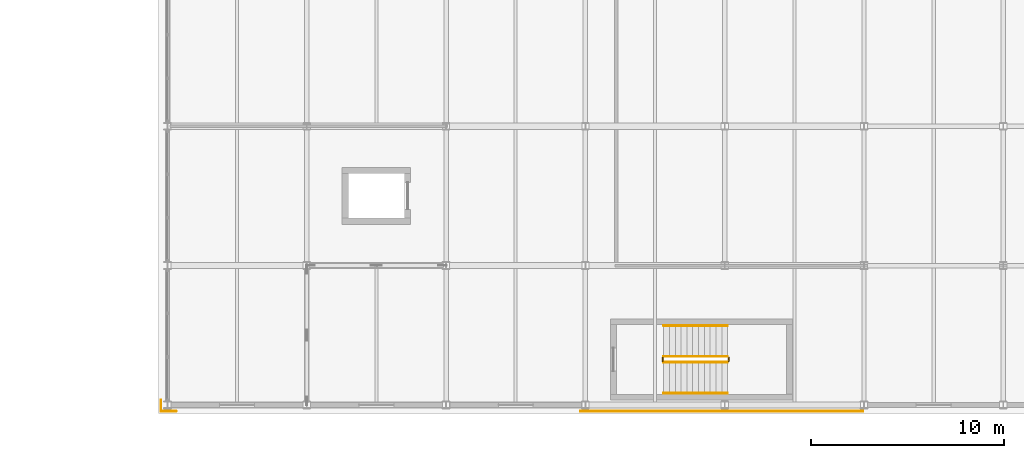
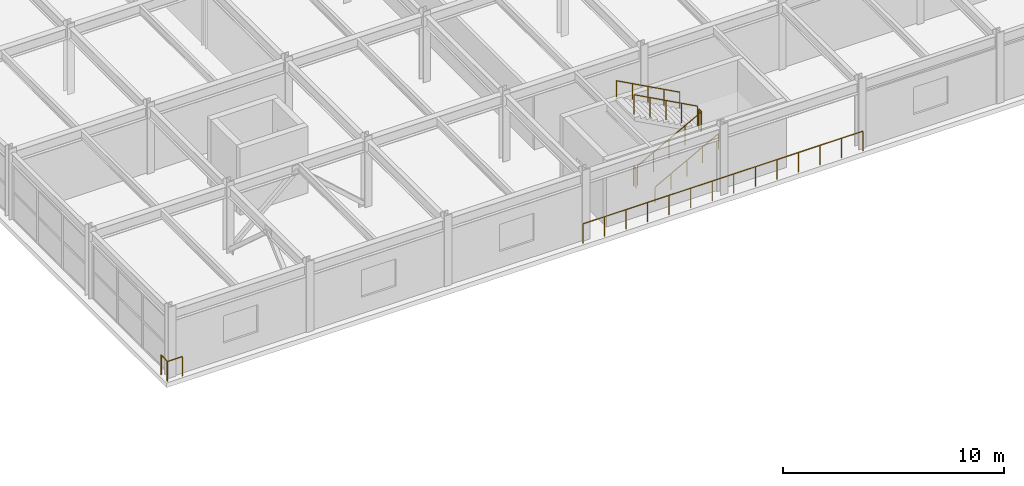
# One storey, part 85 of 93: 9 railings.
"""IFC4 building model written with IfcOpenShell, lengths in metres."""

from ifc_helpers import new_model, si_unit, direction, frame, origin, origin_2d, place, context, subcontext, project, spatial, circle, extrude, material, layer, layer_set, type_object, element, save


model = new_model("IFC4")

# Units and contexts
model_context = context("Model", 3, precision=1e-05, world=origin(), true_north=direction((0.0, 1.0)))
body_context = subcontext(model_context, "Body", "Model", "MODEL_VIEW")
ifc_project = project(units=[si_unit("LENGTHUNIT", "METRE"), si_unit("AREAUNIT", "SQUARE_METRE"), si_unit("VOLUMEUNIT", "CUBIC_METRE"), si_unit("PLANEANGLEUNIT", "RADIAN"), si_unit("MASSUNIT", "GRAM", prefix="KILO")], contexts=[model_context])

# Site, building, storey
site_placement = place(None, origin())
site = spatial("IfcSite", under=ifc_project, at=site_placement, CompositionType="ELEMENT")
building_placement = place(site_placement, origin())
building = spatial("IfcBuilding", under=site, at=building_placement, Name="Vaelcorin Mobility Hub", CompositionType="ELEMENT")
storey_placement = place(building_placement, frame((0.0, 0.0, 5.39990234375)))
storey = spatial("IfcBuildingStorey", under=building, at=storey_placement, Name="L01", CompositionType="ELEMENT", Elevation=5.39990234375)

# Railings
ifc_material_1 = material(Name="Galvanised structural steel ASTM A36", Category="steel")
ifc_layer_1 = layer(ifc_material_1, 0.070068359375)
ifc_layer_set_1 = layer_set([ifc_layer_1], Name="Galvanised structural steel ASTM A36")
railing_type_1 = type_object("IfcRailingType", Name="RL-GUARD-1100", PredefinedType="BALUSTRADE", material=ifc_layer_set_1)
railing_1_placement = place(storey_placement, frame((174.949951171875, 5.669921875, 0.0)))
element("IfcRailing", 1, at=railing_1_placement, inside=storey, type_object=railing_type_1, Name="L01 Perimeter Guard GR-V5-L01-S-GAP-01", PredefinedType="BALUSTRADE", context=body_context, shape_type="SweptSolid", body=[
    extrude(circle(Radius=0.02392578125, at=origin_2d()), frame((0.0, 0.0, 1.076171875), z_axis=(1.0, 0.0, 0.0), x_axis=(0.0, 1.0, 0.0)), (0.0, 0.0, 1.0), 14.60009765625),
    extrude(circle(Radius=0.02099609375, at=origin_2d()), origin(), (0.0, 0.0, 1.0), 1.052001953125),
    extrude(circle(Radius=0.02099609375, at=origin_2d()), frame((1.123046875, 0.0, 0.0)), (0.0, 0.0, 1.0), 1.052001953125),
    extrude(circle(Radius=0.02099609375, at=origin_2d()), frame((2.24609375, 0.0, 0.0)), (0.0, 0.0, 1.0), 1.052001953125),
    extrude(circle(Radius=0.02099609375, at=origin_2d()), frame((3.369140625, 0.0, 0.0)), (0.0, 0.0, 1.0), 1.052001953125),
    extrude(circle(Radius=0.02099609375, at=origin_2d()), frame((4.492431640625, 0.0, 0.0)), (0.0, 0.0, 1.0), 1.052001953125),
    extrude(circle(Radius=0.02099609375, at=origin_2d()), frame((5.615478515625, 0.0, 0.0)), (0.0, 0.0, 1.0), 1.052001953125),
    extrude(circle(Radius=0.02099609375, at=origin_2d()), frame((6.738525390625, 0.0, 0.0)), (0.0, 0.0, 1.0), 1.052001953125),
    extrude(circle(Radius=0.02099609375, at=origin_2d()), frame((7.861572265625, 0.0, 0.0)), (0.0, 0.0, 1.0), 1.052001953125),
    extrude(circle(Radius=0.02099609375, at=origin_2d()), frame((8.984619140625, 0.0, 0.0)), (0.0, 0.0, 1.0), 1.052001953125),
    extrude(circle(Radius=0.02099609375, at=origin_2d()), frame((10.107666015625, 0.0, 0.0)), (0.0, 0.0, 1.0), 1.052001953125),
    extrude(circle(Radius=0.02099609375, at=origin_2d()), frame((11.23095703125, 0.0, 0.0)), (0.0, 0.0, 1.0), 1.052001953125),
    extrude(circle(Radius=0.02099609375, at=origin_2d()), frame((12.35400390625, 0.0, 0.0)), (0.0, 0.0, 1.0), 1.052001953125),
    extrude(circle(Radius=0.02099609375, at=origin_2d()), frame((13.47705078125, 0.0, 0.0)), (0.0, 0.0, 1.0), 1.052001953125),
    extrude(circle(Radius=0.02099609375, at=origin_2d()), frame((14.60009765625, 0.0, 0.0)), (0.0, 0.0, 1.0), 1.052001953125),
])
railing_2_placement = place(storey_placement, frame((153.27001953125, 6.25, 0.0)))
element("IfcRailing", 2, at=railing_2_placement, inside=storey, type_object=railing_type_1, Name="L01 Perimeter Guard GR-V5-L01-SW-CNR-01", PredefinedType="BALUSTRADE", context=body_context, shape_type="SweptSolid", body=[
    extrude(circle(Radius=0.02392578125, at=origin_2d()), frame((0.0, 0.0, 1.076171875), z_axis=(0.0, -1.0, 0.0), x_axis=(1.0, 0.0, 0.0)), (0.0, 0.0, 1.0), 0.580078125),
    extrude(circle(Radius=0.02099609375, at=origin_2d()), origin(), (0.0, 0.0, 1.0), 1.052001953125),
    extrude(circle(Radius=0.02099609375, at=origin_2d()), frame((0.0, -0.580078125, 0.0)), (0.0, 0.0, 1.0), 1.052001953125),
])
railing_3_placement = place(storey_placement, frame((153.27001953125, 5.669921875, 0.0)))
element("IfcRailing", 3, at=railing_3_placement, inside=storey, type_object=railing_type_1, Name="L01 Perimeter Guard GR-V5-L01-SW-CNR-02", PredefinedType="BALUSTRADE", context=body_context, shape_type="SweptSolid", body=[
    extrude(circle(Radius=0.02392578125, at=origin_2d()), frame((0.0, 0.0, 1.076171875), z_axis=(1.0, 0.0, 0.0), x_axis=(0.0, 1.0, 0.0)), (0.0, 0.0, 1.0), 0.780029296875),
    extrude(circle(Radius=0.02099609375, at=origin_2d()), origin(), (0.0, 0.0, 1.0), 1.052001953125),
    extrude(circle(Radius=0.02099609375, at=origin_2d()), frame((0.780029296875, 0.0, 0.0)), (0.0, 0.0, 1.0), 1.052001953125),
])
ifc_material_2 = material(Name="Brushed stainless steel 316L", Category="steel")
ifc_layer_2 = layer(ifc_material_2, 0.048095703125)
ifc_layer_set_2 = layer_set([ifc_layer_2], Name="Brushed stainless steel 316L")
railing_type_2 = type_object("IfcRailingType", Name="RL-STAIR-GRD", PredefinedType="GUARDRAIL", material=ifc_layer_set_2)
railing_4_placement = place(storey_placement, frame((179.25, 8.199951171875, 0.16259765625)))
element("IfcRailing", 4, at=railing_4_placement, inside=storey, type_object=railing_type_2, Name="L01 ST5 stair guard 1", PredefinedType="GUARDRAIL", context=body_context, shape_type="SweptSolid", body=[
    extrude(circle(Radius=0.02392578125, at=origin_2d()), frame((0.0, 0.0, 1.076171875), z_axis=(0.879284020681, 0.0, 0.476297817521), x_axis=(0.0, 1.0, 0.0)), (0.0, 0.0, 1.0), 3.753173828125),
    extrude(circle(Radius=0.02099609375, at=origin_2d()), origin(), (0.0, 0.0, 1.0), 1.052001953125),
    extrude(circle(Radius=0.02099609375, at=origin_2d()), frame((0.824951171875, 0.0, 0.44677734375)), (0.0, 0.0, 1.0), 1.052001953125),
    extrude(circle(Radius=0.02099609375, at=origin_2d()), frame((1.64990234375, 0.0, 0.893798828125)), (0.0, 0.0, 1.0), 1.052001953125),
    extrude(circle(Radius=0.02099609375, at=origin_2d()), frame((2.47509765625, 0.0, 1.3408203125)), (0.0, 0.0, 1.0), 1.052001953125),
    extrude(circle(Radius=0.02099609375, at=origin_2d()), frame((3.300048828125, 0.0, 1.78759765625)), (0.0, 0.0, 1.0), 1.052001953125),
])
railing_5_placement = place(storey_placement, frame((182.60009765625, 8.25, 1.9501953125)))
element("IfcRailing", 5, at=railing_5_placement, inside=storey, type_object=railing_type_2, Name="L01 ST5 stair guard 2", PredefinedType="GUARDRAIL", context=body_context, shape_type="SweptSolid", body=[
    extrude(circle(Radius=0.02392578125, at=origin_2d()), frame((0.0, 0.0, 1.076171875), z_axis=(0.0, 1.0, 0.0), x_axis=(-1.0, 0.0, 0.0)), (0.0, 0.0, 1.0), 0.199951171875),
    extrude(circle(Radius=0.02099609375, at=origin_2d()), origin(), (0.0, 0.0, 1.0), 1.052001953125),
    extrude(circle(Radius=0.02099609375, at=origin_2d()), frame((0.0, 0.199951171875, 0.0)), (0.0, 0.0, 1.0), 1.052001953125),
])
railing_6_placement = place(storey_placement, frame((182.550048828125, 8.5, 2.112548828125)))
element("IfcRailing", 6, at=railing_6_placement, inside=storey, type_object=railing_type_2, Name="L01 ST5 stair guard 3", PredefinedType="GUARDRAIL", context=body_context, shape_type="SweptSolid", body=[
    extrude(circle(Radius=0.02392578125, at=origin_2d()), frame((0.0, 0.0, 1.076171875), z_axis=(-0.879284020681, 0.0, 0.476297817521), x_axis=(0.0, -1.0, 0.0)), (0.0, 0.0, 1.0), 3.753173828125),
    extrude(circle(Radius=0.02099609375, at=origin_2d()), origin(), (0.0, 0.0, 1.0), 1.052001953125),
    extrude(circle(Radius=0.02099609375, at=origin_2d()), frame((-0.824951171875, 0.0, 0.44677734375)), (0.0, 0.0, 1.0), 1.052001953125),
    extrude(circle(Radius=0.02099609375, at=origin_2d()), frame((-1.64990234375, 0.0, 0.893798828125)), (0.0, 0.0, 1.0), 1.052001953125),
    extrude(circle(Radius=0.02099609375, at=origin_2d()), frame((-2.47509765625, 0.0, 1.3408203125)), (0.0, 0.0, 1.0), 1.052001953125),
    extrude(circle(Radius=0.02099609375, at=origin_2d()), frame((-3.300048828125, 0.0, 1.78759765625)), (0.0, 0.0, 1.0), 1.052001953125),
])
railing_7_placement = place(storey_placement, frame((179.199951171875, 8.25, 0.0)))
element("IfcRailing", 7, at=railing_7_placement, inside=storey, type_object=railing_type_2, Name="L01 ST5 stair guard 4", PredefinedType="GUARDRAIL", context=body_context, shape_type="SweptSolid", body=[
    extrude(circle(Radius=0.02392578125, at=origin_2d()), frame((0.0, 0.0, 1.076171875), z_axis=(0.0, 1.0, 0.0), x_axis=(-1.0, 0.0, 0.0)), (0.0, 0.0, 1.0), 0.199951171875),
    extrude(circle(Radius=0.02099609375, at=origin_2d()), origin(), (0.0, 0.0, 1.0), 1.052001953125),
    extrude(circle(Radius=0.02099609375, at=origin_2d()), frame((0.0, 0.199951171875, 0.0)), (0.0, 0.0, 1.0), 1.052001953125),
])
ifc_layer_3 = layer(ifc_material_2, 0.048095703125)
ifc_layer_set_3 = layer_set([ifc_layer_3], Name="Brushed stainless steel 316L")
railing_type_3 = type_object("IfcRailingType", Name="RL-STAIR-HR", PredefinedType="HANDRAIL", material=ifc_layer_set_3)
railing_8_placement = place(storey_placement, frame((179.25, 6.60009765625, 0.16259765625)))
element("IfcRailing", 8, at=railing_8_placement, inside=storey, type_object=railing_type_3, Name="L01 ST5 stair handrail 1", PredefinedType="HANDRAIL", context=body_context, shape_type="SweptSolid", body=[
    extrude(circle(Radius=0.02392578125, at=origin_2d()), frame((0.0, 0.0, 0.8759765625), z_axis=(0.879284020681, 0.0, 0.476297817521), x_axis=(0.0, 1.0, 0.0)), (0.0, 0.0, 1.0), 3.753173828125),
    extrude(circle(Radius=0.02099609375, at=origin_2d()), origin(), (0.0, 0.0, 1.0), 0.851806640625),
    extrude(circle(Radius=0.02099609375, at=origin_2d()), frame((0.824951171875, 0.0, 0.44677734375)), (0.0, 0.0, 1.0), 0.851806640625),
    extrude(circle(Radius=0.02099609375, at=origin_2d()), frame((1.64990234375, 0.0, 0.893798828125)), (0.0, 0.0, 1.0), 0.851806640625),
    extrude(circle(Radius=0.02099609375, at=origin_2d()), frame((2.47509765625, 0.0, 1.3408203125)), (0.0, 0.0, 1.0), 0.851806640625),
    extrude(circle(Radius=0.02099609375, at=origin_2d()), frame((3.300048828125, 0.0, 1.78759765625)), (0.0, 0.0, 1.0), 0.851806640625),
])
railing_9_placement = place(storey_placement, frame((182.550048828125, 10.10009765625, 2.112548828125)))
element("IfcRailing", 9, at=railing_9_placement, inside=storey, type_object=railing_type_3, Name="L01 ST5 stair handrail 2", PredefinedType="HANDRAIL", context=body_context, shape_type="SweptSolid", body=[
    extrude(circle(Radius=0.02392578125, at=origin_2d()), frame((0.0, 0.0, 0.8759765625), z_axis=(-0.879284020681, 0.0, 0.476297817521), x_axis=(0.0, -1.0, 0.0)), (0.0, 0.0, 1.0), 3.753173828125),
    extrude(circle(Radius=0.02099609375, at=origin_2d()), origin(), (0.0, 0.0, 1.0), 0.851806640625),
    extrude(circle(Radius=0.02099609375, at=origin_2d()), frame((-0.824951171875, 0.0, 0.44677734375)), (0.0, 0.0, 1.0), 0.851806640625),
    extrude(circle(Radius=0.02099609375, at=origin_2d()), frame((-1.64990234375, 0.0, 0.893798828125)), (0.0, 0.0, 1.0), 0.851806640625),
    extrude(circle(Radius=0.02099609375, at=origin_2d()), frame((-2.47509765625, 0.0, 1.3408203125)), (0.0, 0.0, 1.0), 0.851806640625),
    extrude(circle(Radius=0.02099609375, at=origin_2d()), frame((-3.300048828125, 0.0, 1.78759765625)), (0.0, 0.0, 1.0), 0.851806640625),
])

save(model, "model.ifc")
